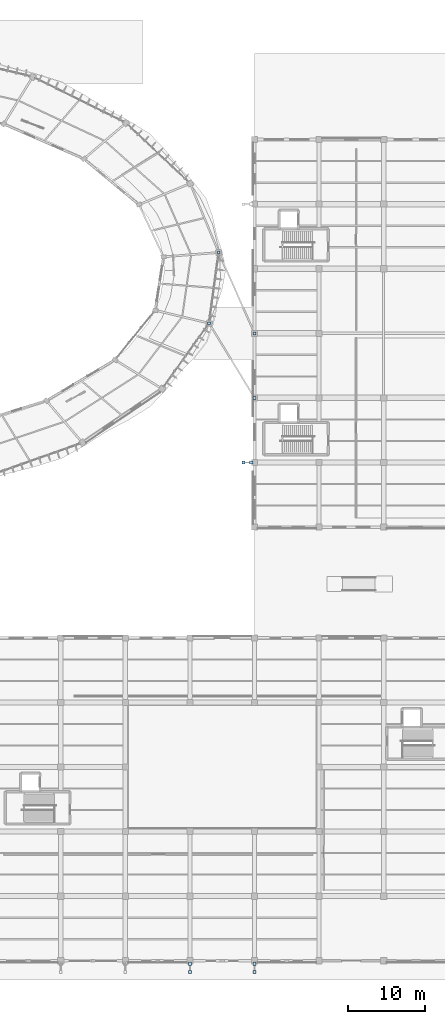
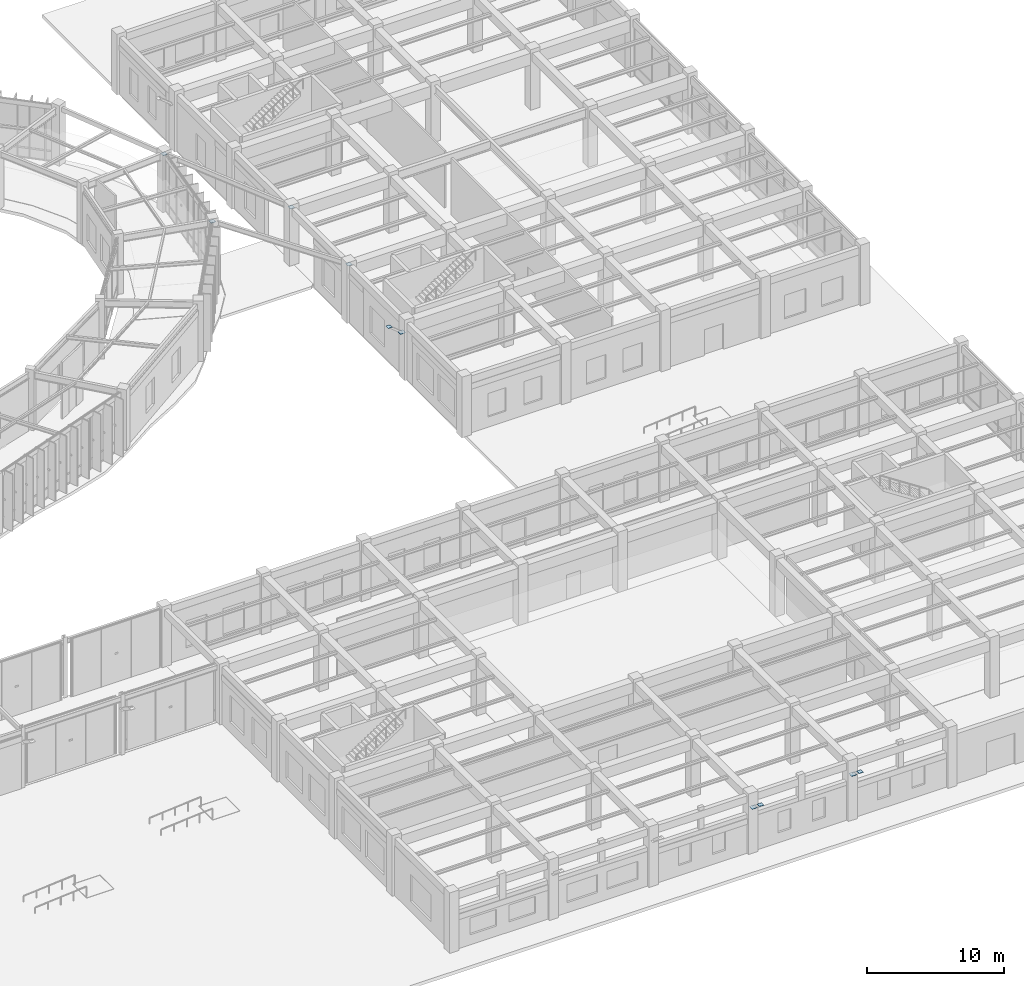
# One storey, part 122 of 157: 10 plates.
"""IFC4 building model written with IfcOpenShell, lengths in metres."""

import ifcopenshell
import ifcopenshell.guid

model = None  # the IFC model being written
_history = None  # IfcOwnerHistory: only IFC2X3 demands one
_inside = {}  # id of a spatial element -> (the spatial element, [elements in it])
_under = {}  # id of a project, library or spatial element -> (it, [spatial elements below it])
_declared = {}  # id of a project -> (the project, [libraries it declares])
_typed = {}  # id of a type object -> (the type object, [elements of that type])
_made_of = {}  # id of a material, layer set ... -> (it, [elements and type objects made of it])


def new_model(schema):
    """Start an empty IFC model of exactly this schema.

    Asked for "IFC4X3", IfcOpenShell would pick the latest addendum, in which some entities
    have other attributes; the version numbers below select the first issue.
    IFC2X3 requires an IfcOwnerHistory on every rooted entity: one is made here for all.
    """
    global model, _history
    if schema == "IFC4X3":
        model = ifcopenshell.file(schema_version=(4, 3, 0, 0))
    else:
        model = ifcopenshell.file(schema=schema)
    _inside.clear()
    _under.clear()
    _declared.clear()
    _typed.clear()
    _made_of.clear()
    _history = None
    if model.schema == "IFC2X3":
        org = make("IfcOrganization", Name="unknown")
        user = make(
            "IfcPersonAndOrganization",
            ThePerson=make("IfcPerson", FamilyName="unknown"),
            TheOrganization=org,
        )
        app = make(
            "IfcApplication",
            ApplicationDeveloper=org,
            Version="unknown",
            ApplicationFullName="unknown",
            ApplicationIdentifier="unknown",
        )
        _history = make(
            "IfcOwnerHistory",
            OwningUser=user,
            OwningApplication=app,
            ChangeAction="ADDED",
            CreationDate=0,
        )
    return model


def make(cls, **values):
    """One entity of the class cls with the attributes given. An attribute that is None is left unset."""
    return model.create_entity(
        cls, **{name: value for name, value in values.items() if value is not None}
    )


def rooted(cls, **values):
    """An entity with a GlobalId (a new one), such as an element, a storey or a relation."""
    return make(cls, GlobalId=ifcopenshell.guid.new(), OwnerHistory=_history, **values)


def si_unit(unit_type, name, prefix=None):
    """IfcSIUnit, for example si_unit("LENGTHUNIT", "METRE", prefix="MILLI")."""
    return make("IfcSIUnit", UnitType=unit_type, Prefix=prefix, Name=name)


def assignment(units):
    """IfcUnitAssignment: the units of a project."""
    return None if units is None else make("IfcUnitAssignment", Units=units)


def point(xyz):
    """IfcCartesianPoint."""
    return None if xyz is None else make("IfcCartesianPoint", Coordinates=xyz)


def direction(xyz):
    """IfcDirection."""
    return None if xyz is None else make("IfcDirection", DirectionRatios=xyz)


def frame(location, z_axis=None, x_axis=None):
    """IfcAxis2Placement3D, a coordinate frame: its origin and axes. An axis left out is left unset."""
    return make(
        "IfcAxis2Placement3D",
        Location=point(location),
        Axis=direction(z_axis),
        RefDirection=direction(x_axis),
    )


def frame_2d(location, x_axis=None):
    """IfcAxis2Placement2D, a coordinate frame in the plane: its origin and x axis."""
    return make(
        "IfcAxis2Placement2D", Location=point(location), RefDirection=direction(x_axis)
    )


def origin():
    """The frame at (0, 0, 0) with its axes left unset."""
    return frame((0.0, 0.0, 0.0))


def origin_2d():
    """The frame at (0, 0) in the plane with its x axis left unset."""
    return frame_2d((0.0, 0.0))


def place(relative_to, where):
    """IfcLocalPlacement: puts the frame where relative to a parent placement (None: the world)."""
    return make(
        "IfcLocalPlacement", PlacementRelTo=relative_to, RelativePlacement=where
    )


def context(
    kind, dimensions, precision=None, world=None, true_north=None, identifier=None
):
    """IfcGeometricRepresentationContext, for example the 3D "Model" context."""
    return make(
        "IfcGeometricRepresentationContext",
        ContextIdentifier=identifier,
        ContextType=kind,
        CoordinateSpaceDimension=dimensions,
        Precision=precision,
        WorldCoordinateSystem=world,
        TrueNorth=true_north,
    )


def subcontext(parent, identifier, kind, view, scale=None):
    """IfcGeometricRepresentationSubContext, for example "Body" below "Model"."""
    return make(
        "IfcGeometricRepresentationSubContext",
        ContextIdentifier=identifier,
        ContextType=kind,
        ParentContext=parent,
        TargetScale=scale,
        TargetView=view,
    )


def project(units=None, contexts=None):
    """IfcProject with its units and contexts."""
    return rooted(
        "IfcProject",
        Name="project",
        RepresentationContexts=contexts,
        UnitsInContext=assignment(units),
    )


def spatial(cls, under=None, at=None, **own):
    """A site, building, storey or space (cls), placed at a placement, below another one or the project."""
    s = rooted(cls, ObjectPlacement=at, **own)
    if under is not None:
        _under.setdefault(under.id(), (under, []))[1].append(s)
    return s


def profile(cls, at=None, kind="AREA", **sizes):
    """A parametric profile (cls). Its sizes go by their IFC names, for example OverallWidth=200.0."""
    return make(cls, ProfileType=kind, Position=at, **sizes)


def rectangle(**sizes):
    """IfcRectangleProfileDef."""
    return profile("IfcRectangleProfileDef", **sizes)


def extrude(swept, where, along, depth):
    """IfcExtrudedAreaSolid: the profile swept, set in the frame where, extruded along a direction by depth."""
    return make(
        "IfcExtrudedAreaSolid",
        SweptArea=swept,
        Position=where,
        ExtrudedDirection=direction(along),
        Depth=depth,
    )


def shape(context_of_items, identifier, shape_type, items):
    """IfcShapeRepresentation: the items that make up one representation, for example the "Body"."""
    return make(
        "IfcShapeRepresentation",
        ContextOfItems=context_of_items,
        RepresentationIdentifier=identifier,
        RepresentationType=shape_type,
        Items=items,
    )


def material(Name=None, Category=None):
    """IfcMaterial."""
    return make("IfcMaterial", Name=Name, Category=Category)


def layer(
    of_material, thickness, ventilated=None, Name=None, Category=None, Priority=None
):
    """IfcMaterialLayer: one layer of a wall or slab, of a material (None: an air gap)."""
    return make(
        "IfcMaterialLayer",
        Material=of_material,
        LayerThickness=thickness,
        IsVentilated=ventilated,
        Name=Name,
        Category=Category,
        Priority=Priority,
    )


def layer_set(layers, Name=None):
    """IfcMaterialLayerSet."""
    return make("IfcMaterialLayerSet", MaterialLayers=layers, LayerSetName=Name)


def made_of(thing, what):
    """Note that an element or type object is made of a material, layer set ...; save() writes the relation."""
    if what is not None:
        _made_of.setdefault(what.id(), (what, []))[1].append(thing)
    return thing


def type_object(cls, material=None, **own):
    """A type object (cls), such as IfcWallType, which elements share."""
    return made_of(rooted(cls, **own), material)


def element(
    cls,
    number,
    at=None,
    inside=None,
    cuts=None,
    type_object=None,
    material=None,
    context=None,
    identifier="Body",
    shape_type=None,
    held_by="IfcProductDefinitionShape",
    body=None,
    shapes=None,
    **own,
):
    """One element of the class cls, such as IfcWall. Its Tag is "e" and its number.

    at: its placement. inside: the storey or other place that contains it. cuts: it is an
    opening in that element (IfcRelVoidsElement). A single representation is given by context,
    identifier, shape_type and body (its items); several are given by shapes. held_by: the class
    of the entity that holds the representations. save() writes the other relations.
    """
    e = rooted(cls, Tag="e%d" % number, ObjectPlacement=at, **own)
    if body is not None:
        shapes = [shape(context, identifier, shape_type, body)]
    if shapes is not None:
        e.Representation = make(held_by, Representations=shapes)
    if inside is not None:
        _inside.setdefault(inside.id(), (inside, []))[1].append(e)
    if cuts is not None:
        rooted(
            "IfcRelVoidsElement", RelatingBuildingElement=cuts, RelatedOpeningElement=e
        )
    if type_object is not None:
        _typed.setdefault(type_object.id(), (type_object, []))[1].append(e)
    return made_of(e, material)


def aggregate(whole, parts):
    """IfcRelAggregates: a whole, such as a stair, and the parts it consists of."""
    return rooted("IfcRelAggregates", RelatingObject=whole, RelatedObjects=parts)


def save(model, path):
    """Write the relations noted so far, then the file.

    IfcRelAggregates (storeys below a building ...), IfcRelContainedInSpatialStructure (elements
    in a storey), IfcRelDefinesByType, IfcRelAssociatesMaterial and IfcRelDeclares: one each for
    every whole, place, type object, material and project.
    """
    for whole, parts in _under.values():
        aggregate(whole, parts)
    for where, things in _inside.values():
        rooted(
            "IfcRelContainedInSpatialStructure",
            RelatedElements=things,
            RelatingStructure=where,
        )
    for kind, things in _typed.values():
        rooted("IfcRelDefinesByType", RelatedObjects=things, RelatingType=kind)
    for what, things in _made_of.values():
        rooted("IfcRelAssociatesMaterial", RelatedObjects=things, RelatingMaterial=what)
    for by, libraries in _declared.values():
        rooted("IfcRelDeclares", RelatingContext=by, RelatedDefinitions=libraries)
    model.write(path)


model = new_model("IFC4")

# Units and contexts
model_context = context("Model", 3, precision=1e-05, world=origin(), true_north=direction((0.0, 1.0)))
body_context = subcontext(model_context, "Body", "Model", "MODEL_VIEW")
ifc_project = project(units=[si_unit("LENGTHUNIT", "METRE"), si_unit("AREAUNIT", "SQUARE_METRE"), si_unit("VOLUMEUNIT", "CUBIC_METRE"), si_unit("PLANEANGLEUNIT", "RADIAN"), si_unit("MASSUNIT", "GRAM", prefix="KILO"), si_unit("THERMODYNAMICTEMPERATUREUNIT", "KELVIN"), si_unit("POWERUNIT", "WATT")], contexts=[model_context])

# Site, building, storey
site_placement = place(None, origin())
site = spatial("IfcSite", under=ifc_project, at=site_placement, CompositionType="ELEMENT")
building_placement = place(site_placement, origin())
building = spatial("IfcBuilding", under=site, at=building_placement, Name="Darbajah Civic Hall", CompositionType="ELEMENT")
storey_placement = place(building_placement, origin())
storey = spatial("IfcBuildingStorey", under=building, at=storey_placement, Name="L00", CompositionType="ELEMENT", Elevation=0.0)

# Plates
ifc_material = material(Name="Steel S355JR", Category="steel")
ifc_layer_1 = layer(ifc_material, 0.01611328125, Name="Steel S355JR")
ifc_layer_set_1 = layer_set([ifc_layer_1], Name="Steel S355JR")
plate_type_1 = type_object("IfcPlateType", Name="Steel Gusset Plate 360x360x16", PredefinedType="SHEET", material=ifc_layer_set_1)
for number, where, z_axis, x_axis, name in (
    (1, (136.199951171875, -1.449951171875, 4.94189453125), (0.0, 0.0, 1.0), (1.0, 0.0, 0.0), "L00 chhajja strut end cap plate 7"),
    (2, (144.60009765625, -1.449951171875, 4.94189453125), (0.0, 0.0, 1.0), (1.0, 0.0, 0.0), "L00 chhajja strut end cap plate 8"),
    (3, (143.14990234375, 64.800048828125, 4.94189453125), (0.0, 0.0, 1.0), (1.0, 0.0, 0.0), "L00 chhajja strut end cap plate 11"),
):
    element("IfcPlate", number, at=place(storey_placement, frame(where, z_axis=z_axis, x_axis=x_axis)), inside=storey, type_object=plate_type_1, Name=name, PredefinedType="SHEET", context=body_context, shape_type="SweptSolid", body=[
        extrude(rectangle(XDim=0.360107421875, YDim=0.360107421875, at=origin_2d()), origin(), (0.0, 0.0, 1.0), 0.01611328125),
    ])
ifc_layer_2 = layer(ifc_material, 0.02490234375, Name="Steel S355JR")
ifc_layer_set_2 = layer_set([ifc_layer_2], Name="Steel S355JR")
plate_type_2 = type_object("IfcPlateType", Name="Steel Gusset Plate 380x380x25", PredefinedType="SHEET", material=ifc_layer_set_2)
for number, where, z_axis, x_axis, name in (
    (4, (139.94287109375, 92.114501953125, 4.907470703125), (0.0, 0.0, 1.0), (1.0, 0.0, 0.0), "Link walk PTFE sliding bearing seat plate SBG-13"),
    (5, (144.60009765625, 81.60009765625, 4.907470703125), (0.0, 0.0, 1.0), (1.0, 0.0, 0.0), "Link walk PTFE sliding bearing seat plate SBG-14"),
    (6, (138.69091796875, 82.913330078125, 4.907470703125), (0.0, 0.0, 1.0), (1.0, 0.0, 0.0), "Link walk PTFE sliding bearing seat plate SBG-15"),
    (7, (144.60009765625, 73.199951171875, 4.907470703125), (0.0, 0.0, 1.0), (1.0, 0.0, 0.0), "Link walk PTFE sliding bearing seat plate SBG-16"),
):
    element("IfcPlate", number, at=place(storey_placement, frame(where, z_axis=z_axis, x_axis=x_axis)), inside=storey, type_object=plate_type_2, Name=name, PredefinedType="SHEET", context=body_context, shape_type="SweptSolid", body=[
        extrude(rectangle(XDim=0.3798828125, YDim=0.3798828125, at=origin_2d()), origin(), (0.0, 0.0, 1.0), 0.02490234375),
    ])
ifc_layer_3 = layer(ifc_material, 0.02001953125, Name="Steel S355JR")
ifc_layer_set_3 = layer_set([ifc_layer_3], Name="Steel S355JR")
plate_type_3 = type_object("IfcPlateType", Name="Steel Gusset Plate 440x440x20", PredefinedType="SHEET", material=ifc_layer_set_3)
for number, where, z_axis, x_axis, name in (
    (8, (136.199951171875, -0.407958984375, 4.090087890625), (0.0, 0.0, 1.0), (1.0, 0.0, 0.0), "L00 chhajja strut inner gusset plate 7"),
    (9, (144.60009765625, -0.407958984375, 4.090087890625), (0.0, 0.0, 1.0), (1.0, 0.0, 0.0), "L00 chhajja strut inner gusset plate 8"),
    (10, (144.19189453125, 64.800048828125, 4.090087890625), (0.0, 0.0, 1.0), (1.0, 0.0, 0.0), "L00 chhajja strut inner gusset plate 11"),
):
    element("IfcPlate", number, at=place(storey_placement, frame(where, z_axis=z_axis, x_axis=x_axis)), inside=storey, type_object=plate_type_3, Name=name, PredefinedType="SHEET", context=body_context, shape_type="SweptSolid", body=[
        extrude(rectangle(XDim=0.43994140625, YDim=0.43994140625, at=origin_2d()), origin(), (0.0, 0.0, 1.0), 0.02001953125),
    ])

save(model, "model.ifc")
